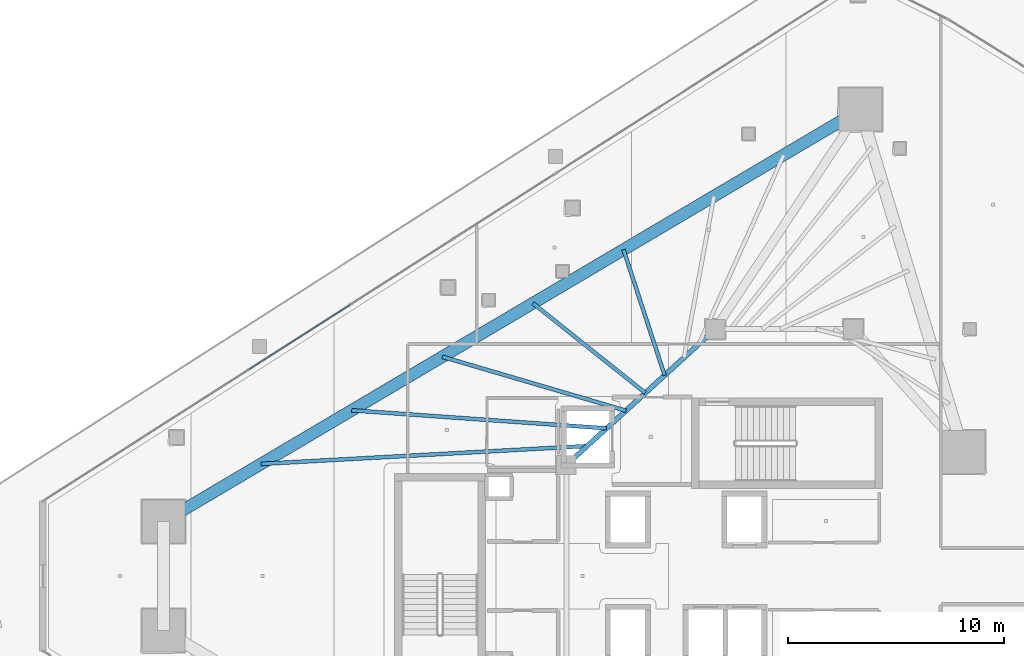
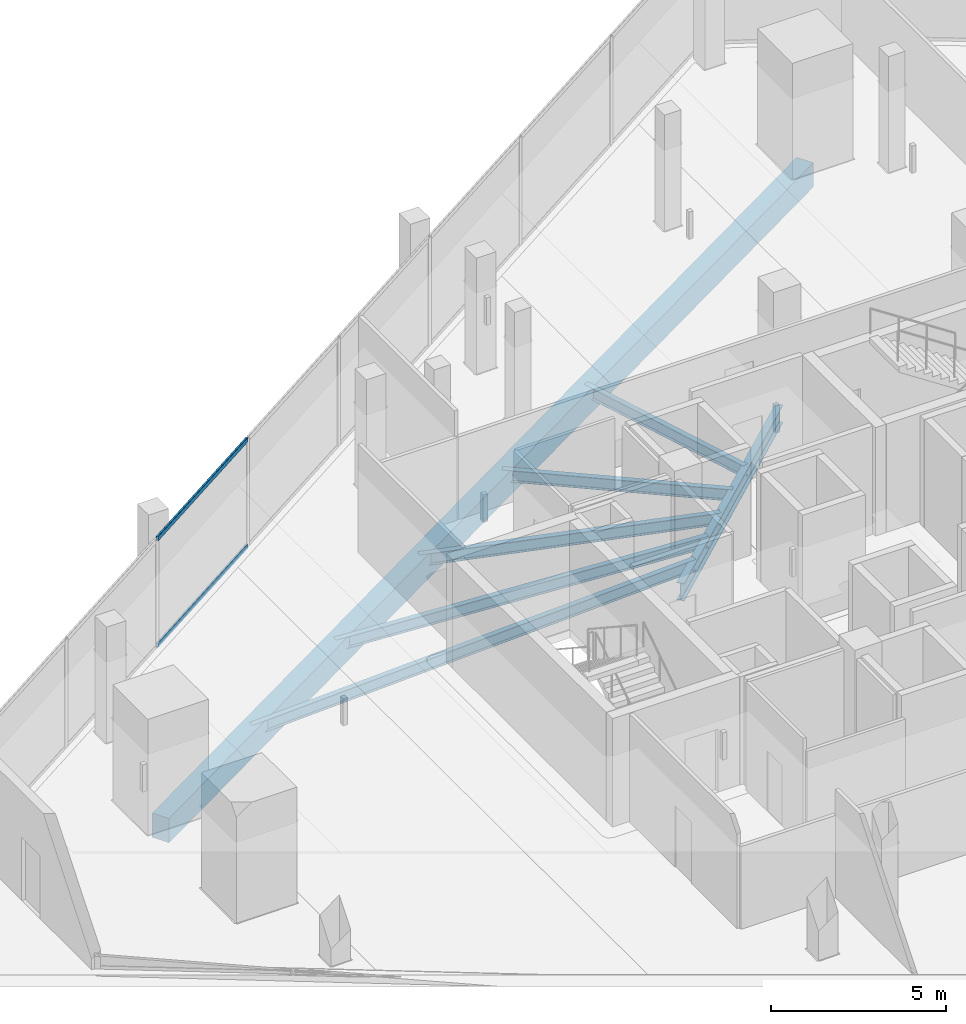
# One storey, part 16 of 36: 7 beams, 2 members, 1 element without a shape of its own.
"""IFC4 building model written with IfcOpenShell, lengths in metres."""

from ifc_helpers import new_model, si_unit, direction, frame, origin, origin_2d, place, context, subcontext, project, spatial, rectangle, hollow_rectangle, i_section, extrude, material, layer, layer_set, material_profile, profile_set, type_object, element, aggregate, save


model = new_model("IFC4")

# Units and contexts
model_context = context("Model", 3, precision=1e-05, world=origin(), true_north=direction((0.0, 1.0)))
body_context = subcontext(model_context, "Body", "Model", "MODEL_VIEW")
ifc_project = project(units=[si_unit("LENGTHUNIT", "METRE"), si_unit("AREAUNIT", "SQUARE_METRE"), si_unit("VOLUMEUNIT", "CUBIC_METRE"), si_unit("PLANEANGLEUNIT", "RADIAN"), si_unit("MASSUNIT", "GRAM", prefix="KILO")], contexts=[model_context])

# Site, building, storey
site_placement = place(None, origin())
site = spatial("IfcSite", under=ifc_project, at=site_placement, CompositionType="ELEMENT")
building_placement = place(site_placement, origin())
building = spatial("IfcBuilding", under=site, at=building_placement, Name="Qorvath Tower", CompositionType="ELEMENT")
storey_placement = place(building_placement, frame((0.0, 0.0, 192.89990234375)))
storey = spatial("IfcBuildingStorey", under=building, at=storey_placement, Name="L44", CompositionType="ELEMENT", Elevation=192.89990234375)

# Beams
ifc_material_1 = material(Name="Steel ASTM A992 Grade 50", Category="steel")
ifc_material_profile_1 = material_profile(ifc_material_1, i_section(OverallWidth=0.22998046875, OverallDepth=0.616943359375, WebThickness=0.01318359375, FlangeThickness=0.022216796875, FilletRadius=0.014892578125, at=origin_2d()), Name="W24x94")
ifc_profile_set_1 = profile_set([ifc_material_profile_1], Name="Steel ASTM A992 Grade 50")
beam_type_1 = type_object("IfcBeamType", Name="BM-FG6", PredefinedType="BEAM", material=ifc_profile_set_1)
beam_1_placement = place(storey_placement, frame((-30.5, 5.14990234375, -0.57861328125), z_axis=(0.73847813985, 0.6742774184, 0.0), x_axis=(-0.6742774184, 0.73847813985, 0.0)))
element("IfcBeam", 1, at=beam_1_placement, inside=storey, type_object=beam_type_1, Name="Core Ring Girder CC5-CC1 L44", PredefinedType="BEAM", context=body_context, shape_type="SweptSolid", body=[
    extrude(i_section(OverallWidth=0.22998046875, OverallDepth=0.616943359375, WebThickness=0.01318359375, FlangeThickness=0.022216796875, FilletRadius=0.014892578125, at=origin_2d()), origin(), (0.0, 0.0, 1.0), 9.343505859375),
])
ifc_material_2 = material(Name="Steel ASTM A992 Grade 50", Category="steel")
ifc_material_profile_2 = material_profile(ifc_material_2, i_section(OverallWidth=0.177978515625, OverallDepth=0.406005859375, WebThickness=0.0078125, FlangeThickness=0.0126953125, FilletRadius=0.010986328125, at=origin_2d()), Name="W16x40")
ifc_profile_set_2 = profile_set([ifc_material_profile_2], Name="Steel ASTM A992 Grade 50")
beam_type_2 = type_object("IfcBeamType", Name="BM-FJ3", PredefinedType="JOIST", material=ifc_profile_set_2)
beam_2_placement = place(storey_placement, frame((-29.533935546875, 6.031982421875, -0.472900390625), z_axis=(-0.998494745044, -0.054847462293, 0.0), x_axis=(0.054847462293, -0.998494745044, 0.0)))
element("IfcBeam", 2, at=beam_2_placement, inside=storey, type_object=beam_type_2, Name="Composite Floor Joist NW1 L44", PredefinedType="JOIST", context=body_context, shape_type="SweptSolid", body=[
    extrude(i_section(OverallWidth=0.177978515625, OverallDepth=0.406005859375, WebThickness=0.0078125, FlangeThickness=0.0126953125, FilletRadius=0.010986328125, at=origin_2d()), origin(), (0.0, 0.0, 1.0), 15.138671875),
])
beam_3_placement = place(storey_placement, frame((-28.636962890625, 6.85107421875, -0.472900390625), z_axis=(-0.997520476731, 0.070376832146, 0.0), x_axis=(-0.070376832146, -0.997520476731, 0.0)))
element("IfcBeam", 3, at=beam_3_placement, inside=storey, type_object=beam_type_2, Name="Composite Floor Joist NW2 L44", PredefinedType="JOIST", context=body_context, shape_type="SweptSolid", body=[
    extrude(i_section(OverallWidth=0.177978515625, OverallDepth=0.406005859375, WebThickness=0.0078125, FlangeThickness=0.0126953125, FilletRadius=0.010986328125, at=origin_2d()), origin(), (0.0, 0.0, 1.0), 11.84326171875),
])
beam_4_placement = place(storey_placement, frame((-27.739990234375, 7.669921875, -0.472900390625), z_axis=(-0.959544992264, 0.281555337049, 0.0), x_axis=(-0.281555337049, -0.959544992264, 0.0)))
element("IfcBeam", 4, at=beam_4_placement, inside=storey, type_object=beam_type_2, Name="Composite Floor Joist NW3 L44", PredefinedType="JOIST", context=body_context, shape_type="SweptSolid", body=[
    extrude(i_section(OverallWidth=0.177978515625, OverallDepth=0.406005859375, WebThickness=0.0078125, FlangeThickness=0.0126953125, FilletRadius=0.010986328125, at=origin_2d()), origin(), (0.0, 0.0, 1.0), 8.87060546875),
])
beam_5_placement = place(storey_placement, frame((-26.843017578125, 8.489013671875, -0.472900390625), z_axis=(-0.781336553339, 0.624109918537, 0.0), x_axis=(-0.624109918537, -0.781336553339, 0.0)))
element("IfcBeam", 5, at=beam_5_placement, inside=storey, type_object=beam_type_2, Name="Composite Floor Joist NW4 L44", PredefinedType="JOIST", context=body_context, shape_type="SweptSolid", body=[
    extrude(i_section(OverallWidth=0.177978515625, OverallDepth=0.406005859375, WebThickness=0.0078125, FlangeThickness=0.0126953125, FilletRadius=0.010986328125, at=origin_2d()), origin(), (0.0, 0.0, 1.0), 6.667724609375),
])
beam_6_placement = place(storey_placement, frame((-25.946044921875, 9.30810546875, -0.472900390625), z_axis=(-0.311228747452, 0.950335028692, 0.0), x_axis=(-0.950335028692, -0.311228747452, 0.0)))
element("IfcBeam", 6, at=beam_6_placement, inside=storey, type_object=beam_type_2, Name="Composite Floor Joist NW5 L44", PredefinedType="JOIST", context=body_context, shape_type="SweptSolid", body=[
    extrude(i_section(OverallWidth=0.177978515625, OverallDepth=0.406005859375, WebThickness=0.0078125, FlangeThickness=0.0126953125, FilletRadius=0.010986328125, at=origin_2d()), origin(), (0.0, 0.0, 1.0), 6.129638671875),
])
ifc_material_3 = material(Name="Concrete C50/60", Category="concrete")
ifc_material_profile_3 = material_profile(ifc_material_3, rectangle(XDim=0.550048828125, YDim=0.85009765625, at=origin_2d()), Name="RCB 850x550")
ifc_profile_set_3 = profile_set([ifc_material_profile_3], Name="Concrete C50/60")
beam_type_3 = type_object("IfcBeamType", Name="BM-RCB2", PredefinedType="SPANDREL", material=ifc_profile_set_3)
beam_7_placement = place(storey_placement, frame((-16.87158203125, 21.627197265625, -0.695068359375), z_axis=(-0.860776759786, -0.50898268125, 0.0), x_axis=(0.50898268125, -0.860776759786, 0.0)))
element("IfcBeam", 7, at=beam_7_placement, inside=storey, type_object=beam_type_3, Name="Perimeter Loggia Frame Beam MC6-MC1 L44", PredefinedType="SPANDREL", context=body_context, shape_type="SweptSolid", body=[
    extrude(rectangle(XDim=0.550048828125, YDim=0.85009765625, at=origin_2d()), origin(), (0.0, 0.0, 1.0), 37.524658203125),
])

# Curtain wall, members
ifc_material_4 = material(Name="Anodised aluminium and triple low-E glass", Category="aluminium")
ifc_layer = layer(ifc_material_4, 0.179931640625)
ifc_layer_set = layer_set([ifc_layer], Name="CW-SYS-3")
curtain_wall_type = type_object("IfcCurtainWallType", Name="CW-SYS-3", PredefinedType="NOTDEFINED", material=ifc_layer_set)
curtain_wall_placement = place(storey_placement, origin())
curtain_wall = element("IfcCurtainWall", 8, at=curtain_wall_placement, inside=storey, type_object=curtain_wall_type, Name="Curtain Wall CW-3 CW-T-L44-16.1", PredefinedType="NOTDEFINED")
ifc_material_5 = material(Name="Anodised aluminium 6063-T6", Category="aluminium")
ifc_material_profile_4 = material_profile(ifc_material_5, hollow_rectangle(XDim=0.06494140625, YDim=0.159912109375, WallThickness=0.00341796875, InnerFilletRadius=0.00341796875, OuterFilletRadius=0.007080078125, at=origin_2d()), Name="CWT 160x65")
ifc_profile_set_4 = profile_set([ifc_material_profile_4], Name="Anodised aluminium 6063-T6")
member_type = type_object("IfcMemberType", Name="CWT-160", PredefinedType="USERDEFINED", material=ifc_profile_set_4)
member_1_placement = place(storey_placement, frame((-40.53271484375, 12.566162109375, 0.032470703125), z_axis=(-0.842606844645, -0.538529205667, 0.0), x_axis=(0.538529205667, -0.842606844645, 0.0)))
member_1 = element("IfcMember", 9, at=member_1_placement, type_object=member_type, Name="CW-3 transom 6.1", ObjectType="TRANSOM", PredefinedType="USERDEFINED", context=body_context, shape_type="SweptSolid", body=[
    extrude(hollow_rectangle(XDim=0.06494140625, YDim=0.159912109375, WallThickness=0.00341796875, InnerFilletRadius=0.00341796875, OuterFilletRadius=0.007080078125, at=origin_2d()), origin(), (0.0, 0.0, 1.0), 5.5751953125),
])
member_2_placement = place(storey_placement, frame((-40.53271484375, 12.566162109375, 3.74755859375), z_axis=(-0.842606844645, -0.538529205667, 0.0), x_axis=(0.538529205667, -0.842606844645, 0.0)))
member_2 = element("IfcMember", 10, at=member_2_placement, type_object=member_type, Name="CW-3 transom 6.2", ObjectType="TRANSOM", PredefinedType="USERDEFINED", context=body_context, shape_type="SweptSolid", body=[
    extrude(hollow_rectangle(XDim=0.06494140625, YDim=0.159912109375, WallThickness=0.00341796875, InnerFilletRadius=0.00341796875, OuterFilletRadius=0.007080078125, at=origin_2d()), origin(), (0.0, 0.0, 1.0), 5.5751953125),
])
aggregate(curtain_wall, [member_1, member_2])

save(model, "model.ifc")
